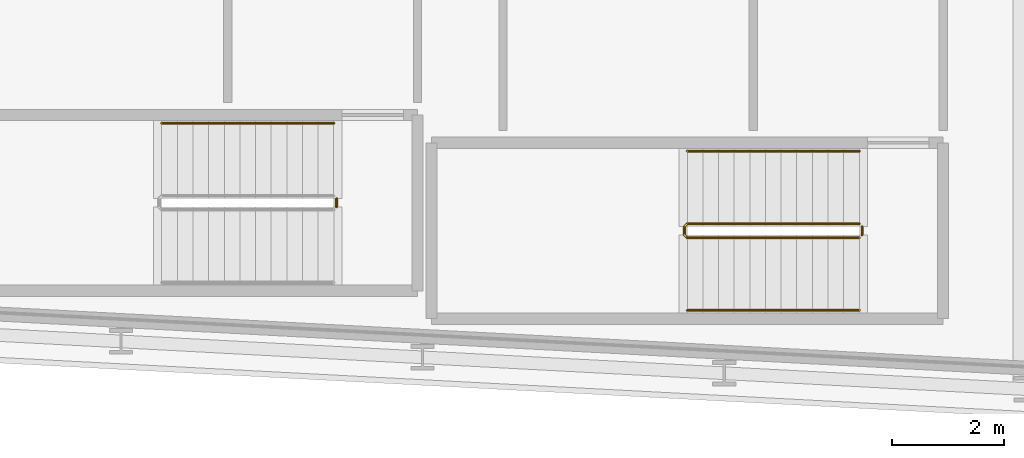
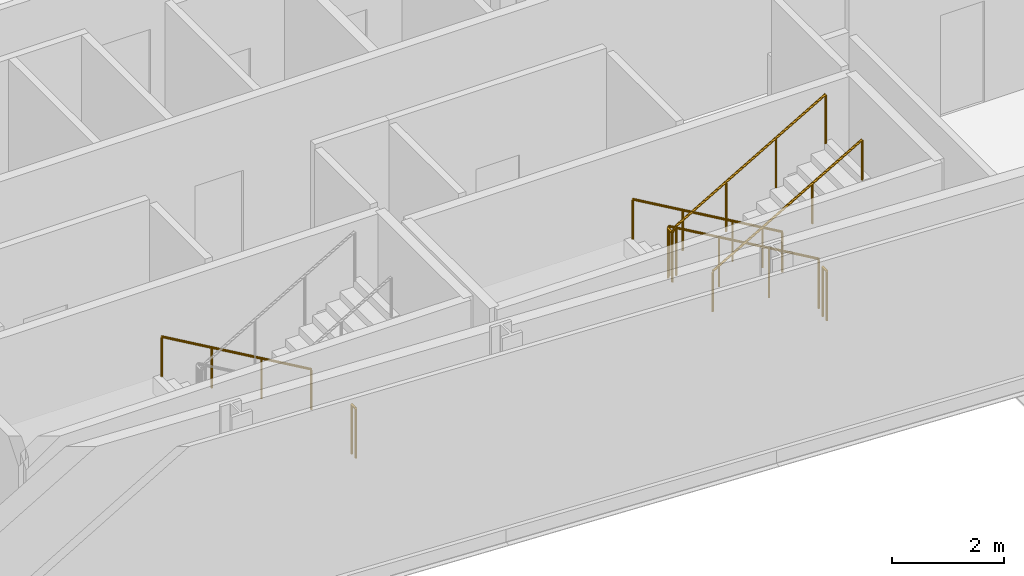
# One storey, part 25 of 28: 6 railings.
"""IFC4 building model written with IfcOpenShell, lengths in metres."""

from ifc_helpers import new_model, si_unit, direction, frame, origin, origin_2d, place, context, subcontext, project, spatial, circle, extrude, material, type_object, element, save


model = new_model("IFC4")

# Units and contexts
model_context = context("Model", 3, precision=1e-05, world=origin(), true_north=direction((0.0, 1.0)))
body_context = subcontext(model_context, "Body", "Model", "MODEL_VIEW")
ifc_project = project(units=[si_unit("LENGTHUNIT", "METRE"), si_unit("AREAUNIT", "SQUARE_METRE"), si_unit("VOLUMEUNIT", "CUBIC_METRE"), si_unit("PLANEANGLEUNIT", "RADIAN"), si_unit("MASSUNIT", "GRAM", prefix="KILO")], contexts=[model_context])

# Site, building, storey
site_placement = place(None, origin())
site = spatial("IfcSite", under=ifc_project, at=site_placement, CompositionType="ELEMENT")
building_placement = place(site_placement, origin())
building = spatial("IfcBuilding", under=site, at=building_placement, Name="Kheshtan School and Residences Tower", CompositionType="ELEMENT")
storey_placement = place(building_placement, frame((0.0, 0.0, 137.0)))
storey = spatial("IfcBuildingStorey", under=building, at=storey_placement, Name="L32", CompositionType="ELEMENT", Elevation=137.0)

# Railings
ifc_material_1 = material(Name="Stainless steel balustrade", Category="steel")
railing_type_1 = type_object("IfcRailingType", Name="Stair guard 1100", PredefinedType="GUARDRAIL", material=ifc_material_1)
railing_1_placement = place(storey_placement, frame((87.820068359375, 23.949951171875, 0.16259765625)))
element("IfcRailing", 1, at=railing_1_placement, inside=storey, type_object=railing_type_1, Name="L32 ST4 stair guard 1", PredefinedType="GUARDRAIL", context=body_context, shape_type="SweptSolid", body=[
    extrude(circle(Radius=0.02392578125, at=origin_2d()), frame((0.0, 0.0, 1.076171875), z_axis=(-0.864920483161, 0.0, 0.501908913857), x_axis=(0.0, -1.0, 0.0)), (0.0, 0.0, 1.0), 3.56103515625),
    extrude(circle(Radius=0.02392578125, at=origin_2d()), frame((-3.080078125, 0.0, 2.86328125), z_axis=(-0.707106781187, -0.707106781187, 0.0), x_axis=(0.707106781187, -0.707106781187, 0.0)), (0.0, 0.0, 1.0), 0.07080078125),
    extrude(circle(Radius=0.02392578125, at=origin_2d()), frame((-3.130126953125, -0.050048828125, 2.86328125), z_axis=(0.0, -1.0, 0.0), x_axis=(1.0, 0.0, 0.0)), (0.0, 0.0, 1.0), 0.14990234375),
    extrude(circle(Radius=0.02392578125, at=origin_2d()), frame((-3.130126953125, -0.199951171875, 2.86328125), z_axis=(0.282227285176, -0.282227285176, 0.916894497205), x_axis=(0.707106781187, 0.707106781187, 0.0)), (0.0, 0.0, 1.0), 0.17724609375),
    extrude(circle(Radius=0.02392578125, at=origin_2d()), frame((-3.080078125, -0.25, 3.02587890625), z_axis=(0.864920483161, 0.0, 0.501908913857), x_axis=(0.0, 1.0, 0.0)), (0.0, 0.0, 1.0), 3.56103515625),
    extrude(circle(Radius=0.02099609375, at=origin_2d()), origin(), (0.0, 0.0, 1.0), 1.052001953125),
    extrude(circle(Radius=0.02099609375, at=origin_2d()), frame((-1.026611328125, 0.0, 0.595703125)), (0.0, 0.0, 1.0), 1.052001953125),
    extrude(circle(Radius=0.02099609375, at=origin_2d()), frame((-2.053466796875, 0.0, 1.191650390625)), (0.0, 0.0, 1.0), 1.052001953125),
    extrude(circle(Radius=0.02099609375, at=origin_2d()), frame((-3.080078125, 0.0, 1.787353515625)), (0.0, 0.0, 1.0), 1.052001953125),
    extrude(circle(Radius=0.02099609375, at=origin_2d()), frame((-3.130126953125, -0.050048828125, 1.787353515625)), (0.0, 0.0, 1.0), 1.052001953125),
    extrude(circle(Radius=0.02099609375, at=origin_2d()), frame((-3.130126953125, -0.199951171875, 1.787353515625)), (0.0, 0.0, 1.0), 1.052001953125),
    extrude(circle(Radius=0.02099609375, at=origin_2d()), frame((-3.080078125, -0.25, 1.949951171875)), (0.0, 0.0, 1.0), 1.052001953125),
    extrude(circle(Radius=0.02099609375, at=origin_2d()), frame((-2.053466796875, -0.25, 2.545654296875)), (0.0, 0.0, 1.0), 1.052001953125),
    extrude(circle(Radius=0.02099609375, at=origin_2d()), frame((-1.026611328125, -0.25, 3.1416015625)), (0.0, 0.0, 1.0), 1.052001953125),
    extrude(circle(Radius=0.02099609375, at=origin_2d()), frame((0.0, -0.25, 3.7373046875)), (0.0, 0.0, 1.0), 1.052001953125),
])
for number, where, name in (
    (2, (87.8701171875, 23.89990234375, 0.0), "L32 ST4 stair guard 2"),
    (3, (78.4599609375, 24.39990234375, 0.0), "L32 ST5 stair guard 2"),
):
    element("IfcRailing", number, at=place(storey_placement, frame(where)), inside=storey, type_object=railing_type_1, Name=name, PredefinedType="GUARDRAIL", context=body_context, shape_type="SweptSolid", body=[
        extrude(circle(Radius=0.02392578125, at=origin_2d()), frame((0.0, 0.0, 1.076171875), z_axis=(0.0, -1.0, 0.0), x_axis=(1.0, 0.0, 0.0)), (0.0, 0.0, 1.0), 0.14990234375),
        extrude(circle(Radius=0.02099609375, at=origin_2d()), origin(), (0.0, 0.0, 1.0), 1.052001953125),
        extrude(circle(Radius=0.02099609375, at=origin_2d()), frame((0.0, -0.14990234375, 0.0)), (0.0, 0.0, 1.0), 1.052001953125),
    ])
ifc_material_2 = material(Name="Stainless steel handrail", Category="steel")
railing_type_2 = type_object("IfcRailingType", Name="Stair handrail 900", PredefinedType="HANDRAIL", material=ifc_material_2)
railing_2_placement = place(storey_placement, frame((87.820068359375, 25.25, 0.16259765625)))
element("IfcRailing", 4, at=railing_2_placement, inside=storey, type_object=railing_type_2, Name="L32 ST4 stair handrail 1", PredefinedType="HANDRAIL", context=body_context, shape_type="SweptSolid", body=[
    extrude(circle(Radius=0.02392578125, at=origin_2d()), frame((0.0, 0.0, 0.8759765625), z_axis=(-0.864920483161, 0.0, 0.501908913857), x_axis=(0.0, -1.0, 0.0)), (0.0, 0.0, 1.0), 3.56103515625),
    extrude(circle(Radius=0.02099609375, at=origin_2d()), origin(), (0.0, 0.0, 1.0), 0.851806640625),
    extrude(circle(Radius=0.02099609375, at=origin_2d()), frame((-1.026611328125, 0.0, 0.595703125)), (0.0, 0.0, 1.0), 0.851806640625),
    extrude(circle(Radius=0.02099609375, at=origin_2d()), frame((-2.053466796875, 0.0, 1.191650390625)), (0.0, 0.0, 1.0), 0.851806640625),
    extrude(circle(Radius=0.02099609375, at=origin_2d()), frame((-3.080078125, 0.0, 1.787353515625)), (0.0, 0.0, 1.0), 0.851806640625),
])
railing_3_placement = place(storey_placement, frame((84.739990234375, 22.39990234375, 2.112548828125)))
element("IfcRailing", 5, at=railing_3_placement, inside=storey, type_object=railing_type_2, Name="L32 ST4 stair handrail 2", PredefinedType="HANDRAIL", context=body_context, shape_type="SweptSolid", body=[
    extrude(circle(Radius=0.02392578125, at=origin_2d()), frame((0.0, 0.0, 0.8759765625), z_axis=(0.864920483161, 0.0, 0.501908913857), x_axis=(0.0, 1.0, 0.0)), (0.0, 0.0, 1.0), 3.56103515625),
    extrude(circle(Radius=0.02099609375, at=origin_2d()), origin(), (0.0, 0.0, 1.0), 0.851806640625),
    extrude(circle(Radius=0.02099609375, at=origin_2d()), frame((1.026611328125, 0.0, 0.595703125)), (0.0, 0.0, 1.0), 0.851806640625),
    extrude(circle(Radius=0.02099609375, at=origin_2d()), frame((2.053466796875, 0.0, 1.191650390625)), (0.0, 0.0, 1.0), 0.851806640625),
    extrude(circle(Radius=0.02099609375, at=origin_2d()), frame((3.080078125, 0.0, 1.787353515625)), (0.0, 0.0, 1.0), 0.851806640625),
])
railing_4_placement = place(storey_placement, frame((78.409912109375, 25.75, 0.16259765625)))
element("IfcRailing", 6, at=railing_4_placement, inside=storey, type_object=railing_type_2, Name="L32 ST5 stair handrail 1", PredefinedType="HANDRAIL", context=body_context, shape_type="SweptSolid", body=[
    extrude(circle(Radius=0.02392578125, at=origin_2d()), frame((0.0, 0.0, 0.8759765625), z_axis=(-0.864903211148, 0.0, 0.501938676878), x_axis=(0.0, -1.0, 0.0)), (0.0, 0.0, 1.0), 3.560791015625),
    extrude(circle(Radius=0.02099609375, at=origin_2d()), origin(), (0.0, 0.0, 1.0), 0.851806640625),
    extrude(circle(Radius=0.02099609375, at=origin_2d()), frame((-1.026611328125, 0.0, 0.595703125)), (0.0, 0.0, 1.0), 0.851806640625),
    extrude(circle(Radius=0.02099609375, at=origin_2d()), frame((-2.05322265625, 0.0, 1.191650390625)), (0.0, 0.0, 1.0), 0.851806640625),
    extrude(circle(Radius=0.02099609375, at=origin_2d()), frame((-3.079833984375, 0.0, 1.787353515625)), (0.0, 0.0, 1.0), 0.851806640625),
])

save(model, "model.ifc")
